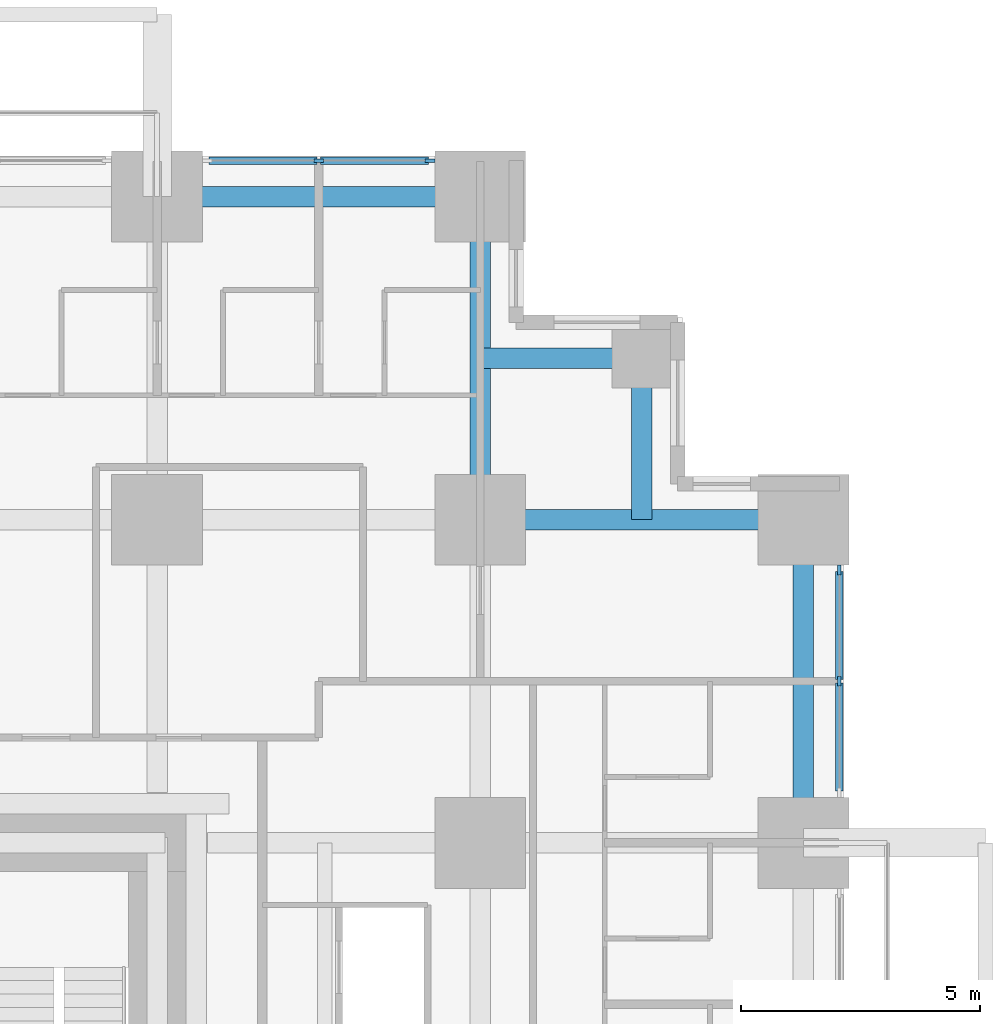
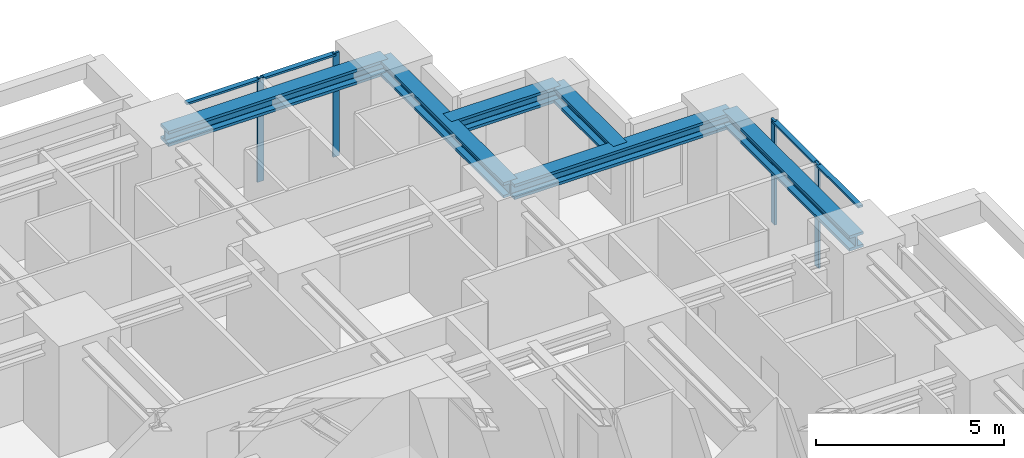
# One storey, part 6 of 15: 8 members, 6 beams, 2 elements without a shape of their own.
"""IFC4 building model written with IfcOpenShell, lengths in metres."""

from ifc_helpers import new_model, si_unit, direction, frame, origin, origin_2d, place, context, subcontext, project, spatial, rectangle, i_section, extrude, material, material_profile, profile_set, type_object, element, aggregate, save


model = new_model("IFC4")

# Units and contexts
model_context = context("Model", 3, precision=1e-05, world=origin(), true_north=direction((0.0, 1.0)))
body_context = subcontext(model_context, "Body", "Model", "MODEL_VIEW")
ifc_project = project(units=[si_unit("LENGTHUNIT", "METRE"), si_unit("AREAUNIT", "SQUARE_METRE"), si_unit("VOLUMEUNIT", "CUBIC_METRE"), si_unit("PLANEANGLEUNIT", "RADIAN"), si_unit("MASSUNIT", "GRAM", prefix="KILO")], contexts=[model_context])

# Site, building, storey
site_placement = place(None, origin())
site = spatial("IfcSite", under=ifc_project, at=site_placement, CompositionType="ELEMENT")
building_placement = place(site_placement, origin())
building = spatial("IfcBuilding", under=site, at=building_placement, Name="Nyansa Garden Tower", CompositionType="ELEMENT")
storey_placement = place(building_placement, frame((0.0, 0.0, 32.39990234375)))
storey = spatial("IfcBuildingStorey", under=building, at=storey_placement, Name="L08", CompositionType="ELEMENT", Elevation=32.39990234375)

# Curtain wall, members
ifc_material_1 = material(Name="Black anodised aluminium, dark tinted double glazing", Category="aluminium")
curtain_wall_type = type_object("IfcCurtainWallType", Name="Inner skin curtain wall ISW-A", PredefinedType="USERDEFINED", material=ifc_material_1)
curtain_wall_1_placement = place(storey_placement, origin())
curtain_wall_1 = element("IfcCurtainWall", 1, at=curtain_wall_1_placement, inside=storey, type_object=curtain_wall_type, Name="Inner skin curtain wall L08 E", ObjectType="UNITISED CURTAIN WALL", PredefinedType="USERDEFINED")
ifc_material_2 = material(Name="Black anodised aluminium", Category="aluminium")
ifc_material_profile_1 = material_profile(ifc_material_2, rectangle(XDim=0.06494140625, YDim=0.199951171875, at=origin_2d()), Name="Mullion 200x65")
ifc_profile_set_1 = profile_set([ifc_material_profile_1], Name="Black anodised aluminium")
member_type_1 = type_object("IfcMemberType", Name="Mullion ISW-A 200x65", PredefinedType="MULLION", material=ifc_profile_set_1)
member_1_placement = place(storey_placement, frame((41.25, 30.375, 0.0), z_axis=(0.0, 0.0, 1.0), x_axis=(-1.0, 0.0, 0.0)))
member_1 = element("IfcMember", 2, at=member_1_placement, type_object=member_type_1, Name="ISW-A mullion 2", PredefinedType="MULLION", context=body_context, shape_type="SweptSolid", body=[
    extrude(rectangle(XDim=0.06494140625, YDim=0.199951171875, at=origin_2d()), origin(), (0.0, 0.0, 1.0), 3.375),
])
member_2_placement = place(storey_placement, frame((41.25, 32.699951171875, 0.0), z_axis=(0.0, 0.0, 1.0), x_axis=(-1.0, 0.0, 0.0)))
member_2 = element("IfcMember", 3, at=member_2_placement, type_object=member_type_1, Name="ISW-A mullion 3", PredefinedType="MULLION", context=body_context, shape_type="SweptSolid", body=[
    extrude(rectangle(XDim=0.06494140625, YDim=0.199951171875, at=origin_2d()), origin(), (0.0, 0.0, 1.0), 3.375),
])

curtain_wall_2_placement = place(storey_placement, origin())
curtain_wall_2 = element("IfcCurtainWall", 4, at=curtain_wall_2_placement, inside=storey, type_object=curtain_wall_type, Name="Inner skin curtain wall L08 N", ObjectType="UNITISED CURTAIN WALL", PredefinedType="USERDEFINED")
member_3_placement = place(storey_placement, frame((32.699951171875, 41.25, 0.0), z_axis=(0.0, 0.0, 1.0), x_axis=(0.0, -1.0, 0.0)))
member_3 = element("IfcMember", 5, at=member_3_placement, type_object=member_type_1, Name="ISW-A mullion 1", PredefinedType="MULLION", context=body_context, shape_type="SweptSolid", body=[
    extrude(rectangle(XDim=0.06494140625, YDim=0.199951171875, at=origin_2d()), origin(), (0.0, 0.0, 1.0), 3.375),
])
member_4_placement = place(storey_placement, frame((30.375, 41.25, 0.0), z_axis=(0.0, 0.0, 1.0), x_axis=(0.0, -1.0, 0.0)))
member_4 = element("IfcMember", 6, at=member_4_placement, type_object=member_type_1, Name="ISW-A mullion 2", PredefinedType="MULLION", context=body_context, shape_type="SweptSolid", body=[
    extrude(rectangle(XDim=0.06494140625, YDim=0.199951171875, at=origin_2d()), origin(), (0.0, 0.0, 1.0), 3.375),
])

# Beams
ifc_material_3 = material(Name="Steel S355", Category="steel")
ifc_material_profile_2 = material_profile(ifc_material_3, i_section(OverallWidth=0.431884765625, OverallDepth=0.498046875, WebThickness=0.0556640625, FlangeThickness=0.0888671875, FilletRadius=0.014892578125, at=origin_2d()), Name="HD 400x744")
ifc_profile_set_2 = profile_set([ifc_material_profile_2], Name="Steel S355")
beam_type_1 = type_object("IfcBeamType", Name="Steel beam SBA1-744 HD 400x744", PredefinedType="BEAM", material=ifc_profile_set_2)
for number, where, z_axis, x_axis, name in (
    (7, (33.75, 33.75, 3.1259765625), (0.0, 1.0, 0.0), (-1.0, 0.0, 0.0), "Steel beam 7/J-7/K L09"),
    (8, (33.75, 33.75, 3.1259765625), (1.0, 0.0, 0.0), (0.0, 1.0, 0.0), "Steel beam 7/J-8/J L09"),
):
    element("IfcBeam", number, at=place(storey_placement, frame(where, z_axis=z_axis, x_axis=x_axis)), inside=storey, type_object=beam_type_1, Name=name, PredefinedType="BEAM", context=body_context, shape_type="SweptSolid", body=[
        extrude(i_section(OverallWidth=0.431884765625, OverallDepth=0.498046875, WebThickness=0.0556640625, FlangeThickness=0.0888671875, FilletRadius=0.014892578125, at=origin_2d()), origin(), (0.0, 0.0, 1.0), 6.75),
    ])
ifc_material_4 = material(Name="Steel S355", Category="steel")
ifc_material_profile_3 = material_profile(ifc_material_4, i_section(OverallWidth=0.431884765625, OverallDepth=0.498046875, WebThickness=0.0556640625, FlangeThickness=0.0888671875, FilletRadius=0.014892578125, at=origin_2d()), Name="HD 400x744")
ifc_profile_set_3 = profile_set([ifc_material_profile_3], Name="Steel S355")
beam_type_2 = type_object("IfcBeamType", Name="Steel beam SEBA-744 HD 400x744", PredefinedType="BEAM", material=ifc_profile_set_3)
for number, where, z_axis, x_axis, name in (
    (9, (27.0, 40.5, 3.1259765625), (1.0, 0.0, 0.0), (0.0, 1.0, 0.0), "Steel edge beam 6/K-7/K L09"),
    (10, (40.5, 27.0, 3.1259765625), (0.0, 1.0, 0.0), (-1.0, 0.0, 0.0), "Steel edge beam 8/H-8/J L09"),
):
    element("IfcBeam", number, at=place(storey_placement, frame(where, z_axis=z_axis, x_axis=x_axis)), inside=storey, type_object=beam_type_2, Name=name, PredefinedType="BEAM", context=body_context, shape_type="SweptSolid", body=[
        extrude(i_section(OverallWidth=0.431884765625, OverallDepth=0.498046875, WebThickness=0.0556640625, FlangeThickness=0.0888671875, FilletRadius=0.014892578125, at=origin_2d()), origin(), (0.0, 0.0, 1.0), 6.75),
    ])
ifc_material_5 = material(Name="Steel S355", Category="steel")
ifc_material_profile_4 = material_profile(ifc_material_5, i_section(OverallWidth=0.431884765625, OverallDepth=0.498046875, WebThickness=0.0556640625, FlangeThickness=0.0888671875, FilletRadius=0.014892578125, at=origin_2d()), Name="HD 400x744")
ifc_profile_set_4 = profile_set([ifc_material_profile_4], Name="Steel S355")
beam_type_3 = type_object("IfcBeamType", Name="Steel beam SSB1-744 HD 400x744", PredefinedType="BEAM", material=ifc_profile_set_4)
for number, where, z_axis, x_axis, name in (
    (11, (37.125, 37.125, 3.1259765625), (0.0, -1.0, 0.0), (1.0, 0.0, 0.0), "Steel step beam 37.125/37.125 L09"),
    (12, (37.125, 37.125, 3.1259765625), (-1.0, 0.0, 0.0), (0.0, -1.0, 0.0), "Steel step beam 37.125/37.125 L09"),
):
    element("IfcBeam", number, at=place(storey_placement, frame(where, z_axis=z_axis, x_axis=x_axis)), inside=storey, type_object=beam_type_3, Name=name, PredefinedType="BEAM", context=body_context, shape_type="SweptSolid", body=[
        extrude(i_section(OverallWidth=0.431884765625, OverallDepth=0.498046875, WebThickness=0.0556640625, FlangeThickness=0.0888671875, FilletRadius=0.014892578125, at=origin_2d()), origin(), (0.0, 0.0, 1.0), 3.375),
    ])

# Member
ifc_material_6 = material(Name="Black anodised aluminium", Category="aluminium")
ifc_material_profile_5 = material_profile(ifc_material_6, rectangle(XDim=0.14990234375, YDim=0.06494140625, at=origin_2d()), Name="Transom 150x65")
ifc_profile_set_5 = profile_set([ifc_material_profile_5], Name="Black anodised aluminium")
member_type_2 = type_object("IfcMemberType", Name="Transom ISW-A 150x65", PredefinedType="USERDEFINED", material=ifc_profile_set_5)
member_5_placement = place(storey_placement, frame((41.25, 28.08251953125, 3.342529296875), z_axis=(0.0, 1.0, 0.0), x_axis=(-1.0, 0.0, 0.0)))
member_5 = element("IfcMember", 13, at=member_5_placement, type_object=member_type_2, Name="ISW-A transom 1", ObjectType="TRANSOM", PredefinedType="USERDEFINED", context=body_context, shape_type="SweptSolid", body=[
    extrude(rectangle(XDim=0.14990234375, YDim=0.06494140625, at=origin_2d()), origin(), (0.0, 0.0, 1.0), 2.260009765625),
])

member_6_placement = place(storey_placement, frame((41.25, 30.407470703125, 3.342529296875), z_axis=(0.0, 1.0, 0.0), x_axis=(-1.0, 0.0, 0.0)))
member_6 = element("IfcMember", 14, at=member_6_placement, type_object=member_type_2, Name="ISW-A transom 2", ObjectType="TRANSOM", PredefinedType="USERDEFINED", context=body_context, shape_type="SweptSolid", body=[
    extrude(rectangle(XDim=0.14990234375, YDim=0.06494140625, at=origin_2d()), origin(), (0.0, 0.0, 1.0), 2.260009765625),
])

aggregate(curtain_wall_1, [member_1, member_2, member_5, member_6])

member_7_placement = place(storey_placement, frame((32.66748046875, 41.25, 3.342529296875), z_axis=(-1.0, 0.0, 0.0), x_axis=(0.0, -1.0, 0.0)))
member_7 = element("IfcMember", 15, at=member_7_placement, type_object=member_type_2, Name="ISW-A transom 1", ObjectType="TRANSOM", PredefinedType="USERDEFINED", context=body_context, shape_type="SweptSolid", body=[
    extrude(rectangle(XDim=0.14990234375, YDim=0.06494140625, at=origin_2d()), origin(), (0.0, 0.0, 1.0), 2.260009765625),
])

member_8_placement = place(storey_placement, frame((30.342529296875, 41.25, 3.342529296875), z_axis=(-1.0, 0.0, 0.0), x_axis=(0.0, -1.0, 0.0)))
member_8 = element("IfcMember", 16, at=member_8_placement, type_object=member_type_2, Name="ISW-A transom 2", ObjectType="TRANSOM", PredefinedType="USERDEFINED", context=body_context, shape_type="SweptSolid", body=[
    extrude(rectangle(XDim=0.14990234375, YDim=0.06494140625, at=origin_2d()), origin(), (0.0, 0.0, 1.0), 2.260009765625),
])

aggregate(curtain_wall_2, [member_3, member_4, member_7, member_8])

save(model, "model.ifc")
